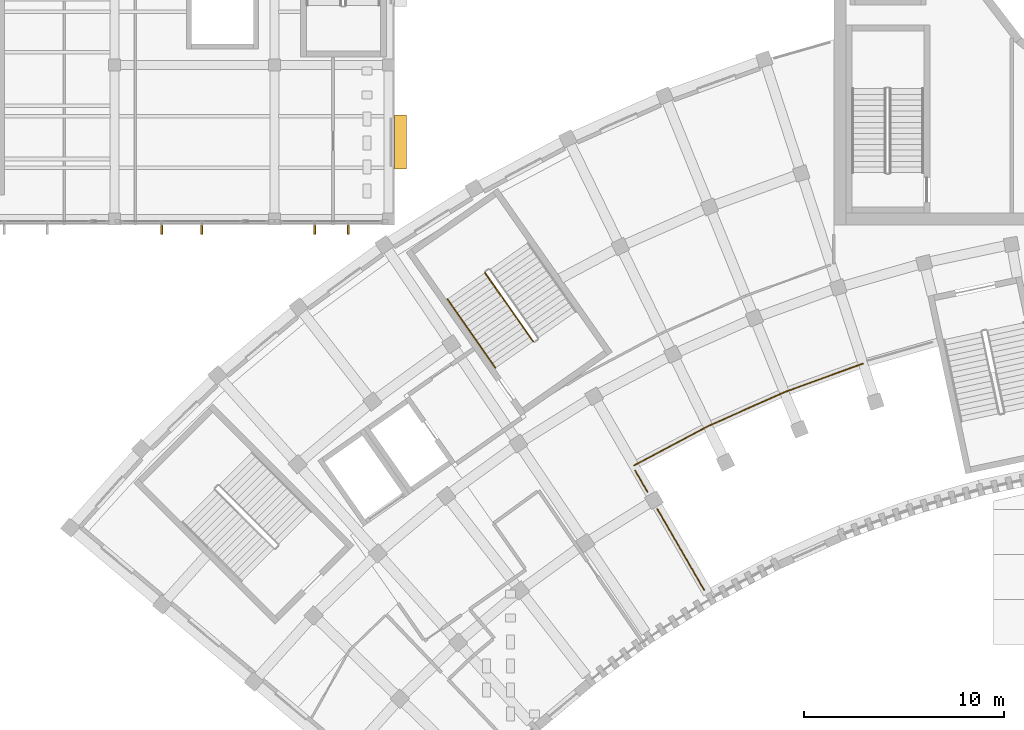
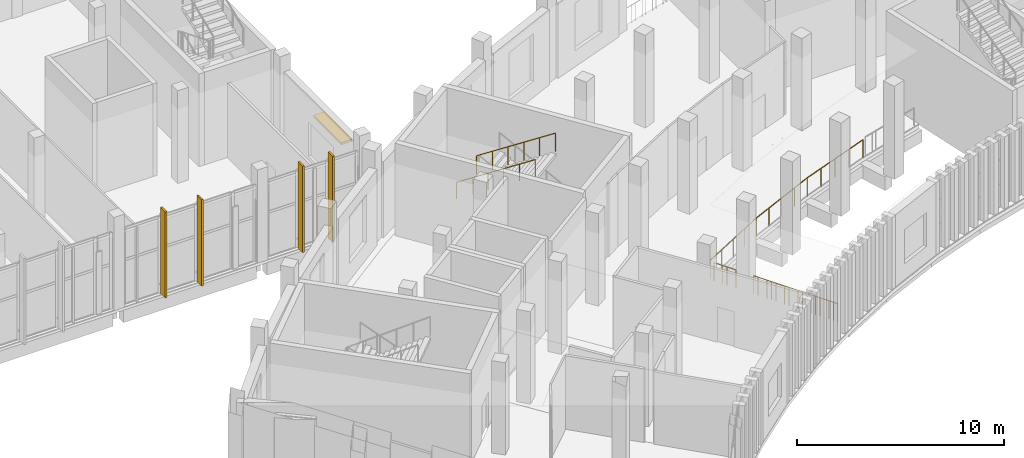
# One storey, part 80 of 112: 5 railings, 5 shading devices.
"""IFC4 building model written with IfcOpenShell, lengths in metres."""

from ifc_helpers import new_model, si_unit, direction, frame, origin, origin_2d, place, context, subcontext, project, spatial, rectangle, circle, extrude, material, layer, layer_set, type_object, element, save


model = new_model("IFC4")

# Units and contexts
model_context = context("Model", 3, precision=1e-05, world=origin(), true_north=direction((0.0, 1.0)))
body_context = subcontext(model_context, "Body", "Model", "MODEL_VIEW")
ifc_project = project(units=[si_unit("LENGTHUNIT", "METRE"), si_unit("AREAUNIT", "SQUARE_METRE"), si_unit("VOLUMEUNIT", "CUBIC_METRE"), si_unit("PLANEANGLEUNIT", "RADIAN"), si_unit("MASSUNIT", "GRAM", prefix="KILO")], contexts=[model_context])

# Site, building, storey
site_placement = place(None, origin())
site = spatial("IfcSite", under=ifc_project, at=site_placement, CompositionType="ELEMENT")
building_placement = place(site_placement, origin())
building = spatial("IfcBuilding", under=site, at=building_placement, Name="Lunette Opera House", CompositionType="ELEMENT")
storey_placement = place(building_placement, frame((0.0, 0.0, 6.0)))
storey = spatial("IfcBuildingStorey", under=building, at=storey_placement, Name="L01", CompositionType="ELEMENT", Elevation=6.0)

# Railings
ifc_material_1 = material(Name="Steel S355", Category="steel")
railing_type_1 = type_object("IfcRailingType", Name="DECK GUARD 1100", PredefinedType="GUARDRAIL", material=ifc_material_1)
railing_1_placement = place(storey_placement, frame((69.507080078125, 45.72705078125, 0.0)))
element("IfcRailing", 1, at=railing_1_placement, inside=storey, type_object=railing_type_1, Name="Deck guard 010", PredefinedType="GUARDRAIL", context=body_context, shape_type="SweptSolid", body=[
    extrude(circle(Radius=0.02392578125, at=origin_2d()), frame((0.0, 0.0, 1.076171875), z_axis=(-0.500409926597, 0.865788603161, 0.0), x_axis=(-0.865788603161, -0.500409926597, 0.0)), (0.0, 0.0, 1.0), 0.245849609375),
    extrude(circle(Radius=0.02392578125, at=origin_2d()), frame((-0.123046875, 0.212890625, 1.076171875), z_axis=(-0.49826679157, 0.867023762315, 0.0), x_axis=(-0.867023762315, -0.49826679157, 0.0)), (0.0, 0.0, 1.0), 0.2470703125),
    extrude(circle(Radius=0.02392578125, at=origin_2d()), frame((-0.24609375, 0.427001953125, 1.076171875), z_axis=(-0.500821668911, 0.86555049301, 0.0), x_axis=(-0.86555049301, -0.500821668911, 0.0)), (0.0, 0.0, 1.0), 0.493408203125),
    extrude(circle(Radius=0.02392578125, at=origin_2d()), frame((-0.4931640625, 0.85400390625, 1.076171875), z_axis=(-0.497950247079, 0.867205599287, 0.0), x_axis=(-0.867205599287, -0.497950247079, 0.0)), (0.0, 0.0, 1.0), 0.24658203125),
    extrude(circle(Radius=0.02392578125, at=origin_2d()), frame((-0.615966796875, 1.06787109375, 1.076171875), z_axis=(-0.502947371317, 0.864317037716, 0.0), x_axis=(-0.864317037716, -0.502947371317, 0.0)), (0.0, 0.0, 1.0), 0.24658203125),
    extrude(circle(Radius=0.02392578125, at=origin_2d()), frame((-0.739990234375, 1.281005859375, 1.076171875), z_axis=(-0.498480415431, 0.866900960567, 0.0), x_axis=(-0.866900960567, -0.498480415431, 0.0)), (0.0, 0.0, 1.0), 0.49365234375),
    extrude(circle(Radius=0.02392578125, at=origin_2d()), frame((-0.986083984375, 1.708984375, 1.076171875), z_axis=(-0.503378059751, 0.864066275792, 0.0), x_axis=(-0.864066275792, -0.503378059751, 0.0)), (0.0, 0.0, 1.0), 0.246337890625),
    extrude(circle(Radius=0.02392578125, at=origin_2d()), frame((-1.110107421875, 1.921875, 1.076171875), z_axis=(-0.498480415431, 0.866900960567, 0.0), x_axis=(-0.866900960567, -0.498480415431, 0.0)), (0.0, 0.0, 1.0), 0.49365234375),
    extrude(circle(Radius=0.02392578125, at=origin_2d()), frame((-1.356201171875, 2.349853515625, 1.076171875), z_axis=(-0.502207205037, 0.864747317549, 0.0), x_axis=(-0.864747317549, -0.502207205037, 0.0)), (0.0, 0.0, 1.0), 0.24658203125),
    extrude(circle(Radius=0.02392578125, at=origin_2d()), frame((-1.47998046875, 2.56298828125, 1.076171875), z_axis=(-0.498480415431, 0.866900960567, 0.0), x_axis=(-0.866900960567, -0.498480415431, 0.0)), (0.0, 0.0, 1.0), 0.49365234375),
    extrude(circle(Radius=0.02392578125, at=origin_2d()), frame((-1.72607421875, 2.990966796875, 1.076171875), z_axis=(-0.503378059751, 0.864066275792, 0.0), x_axis=(-0.864066275792, -0.503378059751, 0.0)), (0.0, 0.0, 1.0), 0.246337890625),
    extrude(circle(Radius=0.02392578125, at=origin_2d()), frame((-1.85009765625, 3.203857421875, 1.076171875), z_axis=(-0.49826679157, 0.867023762315, 0.0), x_axis=(-0.867023762315, -0.49826679157, 0.0)), (0.0, 0.0, 1.0), 0.2470703125),
    extrude(circle(Radius=0.02392578125, at=origin_2d()), frame((-1.97314453125, 3.41796875, 1.076171875), z_axis=(-0.500450775723, 0.86576499183, 0.0), x_axis=(-0.86576499183, -0.500450775723, 0.0)), (0.0, 0.0, 1.0), 0.4931640625),
    extrude(circle(Radius=0.02392578125, at=origin_2d()), frame((-2.219970703125, 3.844970703125, 1.076171875), z_axis=(-0.49869419223, 0.86677800078, 0.0), x_axis=(-0.86677800078, -0.49869419223, 0.0)), (0.0, 0.0, 1.0), 0.246826171875),
    extrude(circle(Radius=0.02099609375, at=origin_2d()), origin(), (0.0, 0.0, 1.0), 1.052001953125),
    extrude(circle(Radius=0.02099609375, at=origin_2d()), frame((-0.123046875, 0.212890625, 0.0)), (0.0, 0.0, 1.0), 1.052001953125),
    extrude(circle(Radius=0.02099609375, at=origin_2d()), frame((-0.24609375, 0.427001953125, 0.0)), (0.0, 0.0, 1.0), 1.052001953125),
    extrude(circle(Radius=0.02099609375, at=origin_2d()), frame((-0.4931640625, 0.85400390625, 0.0)), (0.0, 0.0, 1.0), 1.052001953125),
    extrude(circle(Radius=0.02099609375, at=origin_2d()), frame((-0.615966796875, 1.06787109375, 0.0)), (0.0, 0.0, 1.0), 1.052001953125),
    extrude(circle(Radius=0.02099609375, at=origin_2d()), frame((-0.739990234375, 1.281005859375, 0.0)), (0.0, 0.0, 1.0), 1.052001953125),
    extrude(circle(Radius=0.02099609375, at=origin_2d()), frame((-0.986083984375, 1.708984375, 0.0)), (0.0, 0.0, 1.0), 1.052001953125),
    extrude(circle(Radius=0.02099609375, at=origin_2d()), frame((-1.110107421875, 1.921875, 0.0)), (0.0, 0.0, 1.0), 1.052001953125),
    extrude(circle(Radius=0.02099609375, at=origin_2d()), frame((-1.356201171875, 2.349853515625, 0.0)), (0.0, 0.0, 1.0), 1.052001953125),
    extrude(circle(Radius=0.02099609375, at=origin_2d()), frame((-1.47998046875, 2.56298828125, 0.0)), (0.0, 0.0, 1.0), 1.052001953125),
    extrude(circle(Radius=0.02099609375, at=origin_2d()), frame((-1.72607421875, 2.990966796875, 0.0)), (0.0, 0.0, 1.0), 1.052001953125),
    extrude(circle(Radius=0.02099609375, at=origin_2d()), frame((-1.85009765625, 3.203857421875, 0.0)), (0.0, 0.0, 1.0), 1.052001953125),
    extrude(circle(Radius=0.02099609375, at=origin_2d()), frame((-1.97314453125, 3.41796875, 0.0)), (0.0, 0.0, 1.0), 1.052001953125),
    extrude(circle(Radius=0.02099609375, at=origin_2d()), frame((-2.219970703125, 3.844970703125, 0.0)), (0.0, 0.0, 1.0), 1.052001953125),
    extrude(circle(Radius=0.02099609375, at=origin_2d()), frame((-2.343017578125, 4.058837890625, 0.0)), (0.0, 0.0, 1.0), 1.052001953125),
])
railing_2_placement = place(storey_placement, frame((66.6708984375, 50.639892578125, 0.0)))
element("IfcRailing", 2, at=railing_2_placement, inside=storey, type_object=railing_type_1, Name="Deck guard 011", PredefinedType="GUARDRAIL", context=body_context, shape_type="SweptSolid", body=[
    extrude(circle(Radius=0.02392578125, at=origin_2d()), frame((0.0, 0.0, 1.076171875), z_axis=(-0.500450775723, 0.86576499183, 0.0), x_axis=(-0.86576499183, -0.500450775723, 0.0)), (0.0, 0.0, 1.0), 0.4931640625),
    extrude(circle(Radius=0.02392578125, at=origin_2d()), frame((-0.246826171875, 0.427001953125, 1.076171875), z_axis=(-0.49826679157, 0.867023762315, 0.0), x_axis=(-0.867023762315, -0.49826679157, 0.0)), (0.0, 0.0, 1.0), 0.2470703125),
    extrude(circle(Radius=0.02392578125, at=origin_2d()), frame((-0.369873046875, 0.64111328125, 1.076171875), z_axis=(-0.500821668911, 0.86555049301, 0.0), x_axis=(-0.86555049301, -0.500821668911, 0.0)), (0.0, 0.0, 1.0), 0.493408203125),
    extrude(circle(Radius=0.02099609375, at=origin_2d()), origin(), (0.0, 0.0, 1.0), 1.052001953125),
    extrude(circle(Radius=0.02099609375, at=origin_2d()), frame((-0.246826171875, 0.427001953125, 0.0)), (0.0, 0.0, 1.0), 1.052001953125),
    extrude(circle(Radius=0.02099609375, at=origin_2d()), frame((-0.369873046875, 0.64111328125, 0.0)), (0.0, 0.0, 1.0), 1.052001953125),
    extrude(circle(Radius=0.02099609375, at=origin_2d()), frame((-0.616943359375, 1.068115234375, 0.0)), (0.0, 0.0, 1.0), 1.052001953125),
])
ifc_material_2 = material(Name="Steel S355", Category="steel")
railing_type_2 = type_object("IfcRailingType", Name="OPENING GUARD 1100", PredefinedType="GUARDRAIL", material=ifc_material_2)
railing_3_placement = place(storey_placement, frame((77.458984375, 57.06298828125, 0.0)))
element("IfcRailing", 3, at=railing_3_placement, inside=storey, type_object=railing_type_2, Name="Floor opening guard", PredefinedType="GUARDRAIL", context=body_context, shape_type="SweptSolid", body=[
    extrude(circle(Radius=0.02392578125, at=origin_2d()), frame((0.0, 0.0, 1.076171875), z_axis=(-0.939720204592, -0.34194434793, 0.0), x_axis=(0.34194434793, -0.939720204592, 0.0)), (0.0, 0.0, 1.0), 4.1875),
    extrude(circle(Radius=0.02392578125, at=origin_2d()), frame((-3.93505859375, -1.431884765625, 1.076171875), z_axis=(-0.913570988879, -0.406679294137, 0.0), x_axis=(0.406679294137, -0.913570988879, 0.0)), (0.0, 0.0, 1.0), 4.18798828125),
    extrude(circle(Radius=0.02392578125, at=origin_2d()), frame((-7.760986328125, -3.135009765625, 1.076171875), z_axis=(-0.882966989729, -0.469435080761, 0.0), x_axis=(0.469435080761, -0.882966989729, 0.0)), (0.0, 0.0, 1.0), 4.188232421875),
    extrude(circle(Radius=0.02099609375, at=origin_2d()), origin(), (0.0, 0.0, 1.0), 1.052001953125),
    extrude(circle(Radius=0.02099609375, at=origin_2d()), frame((-0.98388671875, -0.35791015625, 0.0)), (0.0, 0.0, 1.0), 1.052001953125),
    extrude(circle(Radius=0.02099609375, at=origin_2d()), frame((-1.967529296875, -0.7158203125, 0.0)), (0.0, 0.0, 1.0), 1.052001953125),
    extrude(circle(Radius=0.02099609375, at=origin_2d()), frame((-2.951171875, -1.073974609375, 0.0)), (0.0, 0.0, 1.0), 1.052001953125),
    extrude(circle(Radius=0.02099609375, at=origin_2d()), frame((-3.93505859375, -1.431884765625, 0.0)), (0.0, 0.0, 1.0), 1.052001953125),
    extrude(circle(Radius=0.02099609375, at=origin_2d()), frame((-4.8916015625, -1.857666015625, 0.0)), (0.0, 0.0, 1.0), 1.052001953125),
    extrude(circle(Radius=0.02099609375, at=origin_2d()), frame((-5.84814453125, -2.283447265625, 0.0)), (0.0, 0.0, 1.0), 1.052001953125),
    extrude(circle(Radius=0.02099609375, at=origin_2d()), frame((-6.804443359375, -2.709228515625, 0.0)), (0.0, 0.0, 1.0), 1.052001953125),
    extrude(circle(Radius=0.02099609375, at=origin_2d()), frame((-7.760986328125, -3.135009765625, 0.0)), (0.0, 0.0, 1.0), 1.052001953125),
    extrude(circle(Radius=0.02099609375, at=origin_2d()), frame((-8.685546875, -3.62646484375, 0.0)), (0.0, 0.0, 1.0), 1.052001953125),
    extrude(circle(Radius=0.02099609375, at=origin_2d()), frame((-9.60986328125, -4.1181640625, 0.0)), (0.0, 0.0, 1.0), 1.052001953125),
    extrude(circle(Radius=0.02099609375, at=origin_2d()), frame((-10.534423828125, -4.609619140625, 0.0)), (0.0, 0.0, 1.0), 1.052001953125),
    extrude(circle(Radius=0.02099609375, at=origin_2d()), frame((-11.458984375, -5.10107421875, 0.0)), (0.0, 0.0, 1.0), 1.052001953125),
])

# Shading devices
ifc_material_3 = material(Name="Powder-coated aluminium", Category="aluminium")
shading_device_type_1 = type_object("IfcShadingDeviceType", Name="SOLAR FIN 100 X 450", PredefinedType="USERDEFINED", material=ifc_material_3)
for number, where, z_axis, x_axis, name in (
    (4, (42.35107421875, 63.76806640625, 0.114501953125), (0.0, 0.0, 1.0), (0.0, -1.0, 0.0), "Solar fin RW-X2026 1"),
    (5, (44.373046875, 63.76806640625, 0.114501953125), (0.0, 0.0, 1.0), (0.0, -1.0, 0.0), "Solar fin RW-X2026 2"),
    (6, (50.010009765625, 63.76806640625, 0.114501953125), (0.0, 0.0, 1.0), (0.0, -1.0, 0.0), "Solar fin RW-X2028 1"),
    (7, (51.68994140625, 63.76806640625, 0.114501953125), (0.0, 0.0, 1.0), (0.0, -1.0, 0.0), "Solar fin RW-X2028 2"),
):
    element("IfcShadingDevice", number, at=place(storey_placement, frame(where, z_axis=z_axis, x_axis=x_axis)), inside=storey, type_object=shading_device_type_1, Name=name, ObjectType="SOLAR FIN", PredefinedType="USERDEFINED", context=body_context, shape_type="SweptSolid", body=[
        extrude(rectangle(XDim=0.449951171875, YDim=0.10009765625, at=origin_2d()), origin(), (0.0, 0.0, 1.0), 5.0849609375),
    ])

# Railings
ifc_material_4 = material(Name="Steel S355", Category="steel")
railing_type_3 = type_object("IfcRailingType", Name="STAIR GUARD 1100", PredefinedType="GUARDRAIL", material=ifc_material_4)
railing_4_placement = place(storey_placement, frame((58.5400390625, 61.605224609375, 2.921875)))
element("IfcRailing", 8, at=railing_4_placement, inside=storey, type_object=railing_type_3, Name="L01 ST2 stair guard 3", PredefinedType="GUARDRAIL", context=body_context, shape_type="SweptSolid", body=[
    extrude(circle(Radius=0.02392578125, at=origin_2d()), frame((0.0, 0.0, 1.076171875), z_axis=(0.488760814363, -0.698166040625, 0.523141516285), x_axis=(0.819207341873, 0.573497455114, 0.0)), (0.0, 0.0, 1.0), 4.92822265625),
    extrude(circle(Radius=0.02099609375, at=origin_2d()), origin(), (0.0, 0.0, 1.0), 1.052001953125),
    extrude(circle(Radius=0.02099609375, at=origin_2d()), frame((0.481689453125, -0.688232421875, 0.515625)), (0.0, 0.0, 1.0), 1.052001953125),
    extrude(circle(Radius=0.02099609375, at=origin_2d()), frame((0.96337890625, -1.376220703125, 1.03125)), (0.0, 0.0, 1.0), 1.052001953125),
    extrude(circle(Radius=0.02099609375, at=origin_2d()), frame((1.4453125, -2.064453125, 1.546875)), (0.0, 0.0, 1.0), 1.052001953125),
    extrude(circle(Radius=0.02099609375, at=origin_2d()), frame((1.927001953125, -2.75244140625, 2.0625)), (0.0, 0.0, 1.0), 1.052001953125),
    extrude(circle(Radius=0.02099609375, at=origin_2d()), frame((2.40869140625, -3.440673828125, 2.578125)), (0.0, 0.0, 1.0), 1.052001953125),
])
ifc_material_5 = material(Name="Steel S355", Category="steel")
railing_type_4 = type_object("IfcRailingType", Name="STAIR HANDRAIL 1000", PredefinedType="HANDRAIL", material=ifc_material_5)
railing_5_placement = place(storey_placement, frame((56.65576171875, 60.2861328125, 2.921875)))
element("IfcRailing", 9, at=railing_5_placement, inside=storey, type_object=railing_type_4, Name="L01 ST2 stair handrail 2", PredefinedType="HANDRAIL", context=body_context, shape_type="SweptSolid", body=[
    extrude(circle(Radius=0.02392578125, at=origin_2d()), frame((0.0, 0.0, 0.97607421875), z_axis=(0.488798518461, -0.69814913557, 0.523128849189), x_axis=(0.819180032231, 0.573536463352, 0.0)), (0.0, 0.0, 1.0), 4.92822265625),
    extrude(circle(Radius=0.02099609375, at=origin_2d()), origin(), (0.0, 0.0, 1.0), 0.951904296875),
    extrude(circle(Radius=0.02099609375, at=origin_2d()), frame((0.481689453125, -0.688232421875, 0.515625)), (0.0, 0.0, 1.0), 0.951904296875),
    extrude(circle(Radius=0.02099609375, at=origin_2d()), frame((0.963623046875, -1.376220703125, 1.03125)), (0.0, 0.0, 1.0), 0.951904296875),
    extrude(circle(Radius=0.02099609375, at=origin_2d()), frame((1.4453125, -2.064453125, 1.546875)), (0.0, 0.0, 1.0), 0.951904296875),
    extrude(circle(Radius=0.02099609375, at=origin_2d()), frame((1.92724609375, -2.75244140625, 2.0625)), (0.0, 0.0, 1.0), 0.951904296875),
    extrude(circle(Radius=0.02099609375, at=origin_2d()), frame((2.408935546875, -3.440673828125, 2.578125)), (0.0, 0.0, 1.0), 0.951904296875),
])

# Shading device
ifc_material_6 = material(Name="Powder-coated aluminium", Category="aluminium")
ifc_layer = layer(ifc_material_6, 0.1201171875)
ifc_layer_set = layer_set([ifc_layer], Name="Powder-coated aluminium")
shading_device_type_2 = type_object("IfcShadingDeviceType", Name="WINDOW HOOD 600 X 2700", PredefinedType="USERDEFINED", material=ifc_layer_set)
shading_device_placement = place(storey_placement, frame((54.300048828125, 68.14990234375, 3.079833984375), z_axis=(0.0, 0.0, 1.0), x_axis=(1.0, 0.0, 0.0)))
element("IfcShadingDevice", 10, at=shading_device_placement, inside=storey, type_object=shading_device_type_2, Name="Window hood RW-N2013", ObjectType="WINDOW HOOD", PredefinedType="USERDEFINED", context=body_context, shape_type="SweptSolid", body=[
    extrude(rectangle(XDim=0.60009765625, YDim=2.699951171875, at=origin_2d()), origin(), (0.0, 0.0, 1.0), 0.1201171875),
])

save(model, "model.ifc")
